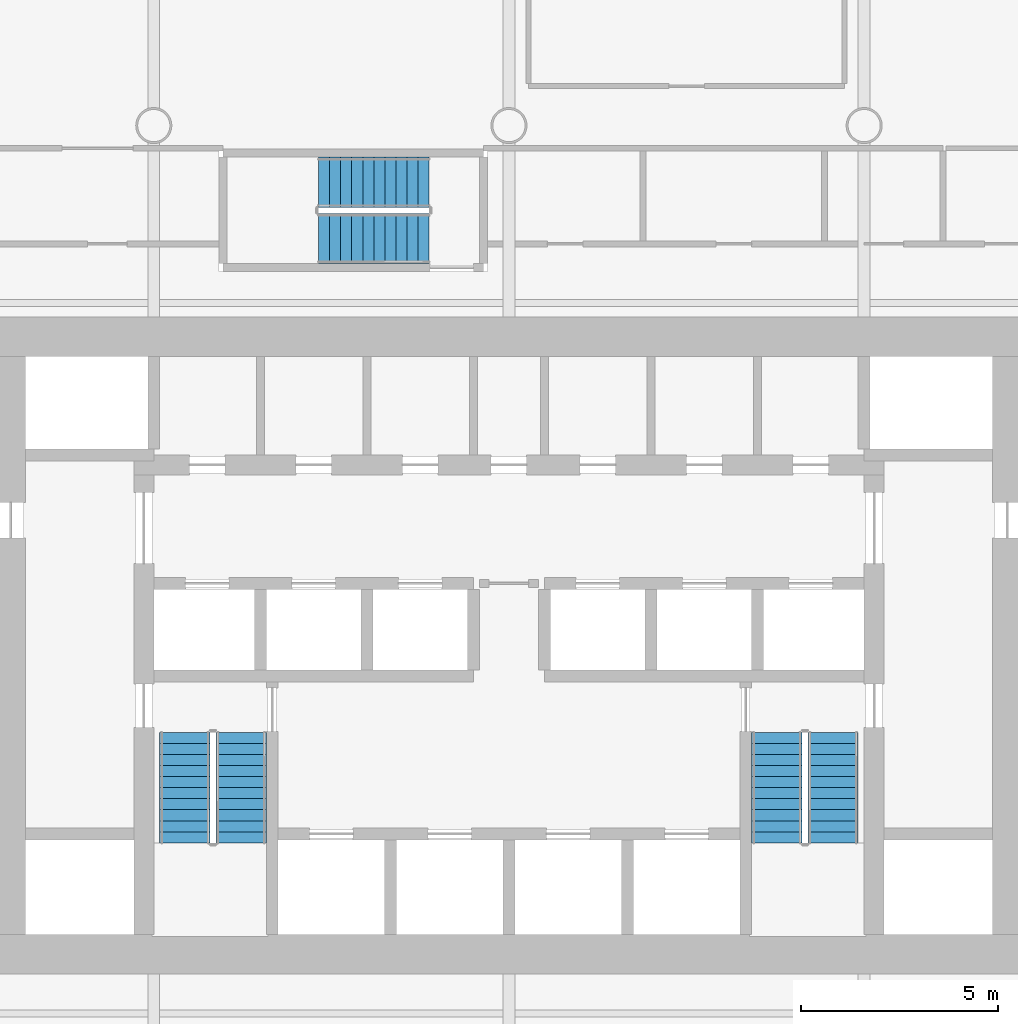
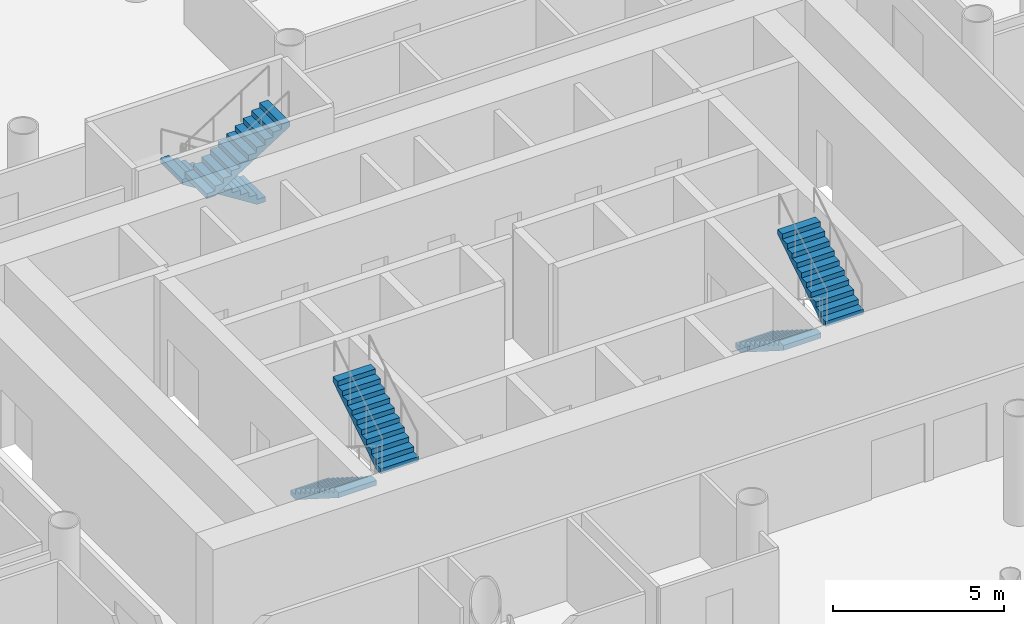
# One storey, part 15 of 20: 6 stair flights, 3 elements without a shape of their own.
"""IFC4 building model written with IfcOpenShell, lengths in metres."""

from ifc_helpers import new_model, si_unit, direction, frame, origin, place, context, subcontext, project, spatial, polyline, outline, extrude, material, type_object, element, aggregate, save


model = new_model("IFC4")

# Units and contexts
model_context = context("Model", 3, precision=1e-05, world=origin(), true_north=direction((0.0, 1.0)))
body_context = subcontext(model_context, "Body", "Model", "MODEL_VIEW")
ifc_project = project(units=[si_unit("LENGTHUNIT", "METRE"), si_unit("AREAUNIT", "SQUARE_METRE"), si_unit("VOLUMEUNIT", "CUBIC_METRE"), si_unit("PLANEANGLEUNIT", "RADIAN"), si_unit("MASSUNIT", "GRAM", prefix="KILO")], contexts=[model_context])

# Site, building, storey
site_placement = place(None, origin())
site = spatial("IfcSite", under=ifc_project, at=site_placement, CompositionType="ELEMENT")
building_placement = place(site_placement, origin())
building = spatial("IfcBuilding", under=site, at=building_placement, Name="Tskaro Facet Tower", CompositionType="ELEMENT")
storey_placement = place(building_placement, frame((0.0, 0.0, 53.699951171875)))
storey = spatial("IfcBuildingStorey", under=building, at=storey_placement, Name="L12", CompositionType="ELEMENT", Elevation=53.699951171875)

# Stair, stair flights
ifc_material = material(Name="Concrete C40/50", Category="concrete")
stair_type = type_object("IfcStairType", Name="ST-TWR", PredefinedType="HALF_TURN_STAIR", material=ifc_material)
stair_1_placement = place(storey_placement, origin())
stair_1 = element("IfcStair", 1, at=stair_1_placement, inside=storey, type_object=stair_type, Name="L12 Exit stair 1", PredefinedType="HALF_TURN_STAIR")
stair_flight_type = type_object("IfcStairFlightType", Name="SFL-RC", PredefinedType="STRAIGHT", material=ifc_material)
stair_flight_1_placement = place(storey_placement, frame((-8.21240234375, -6.375, 0.0), z_axis=(0.0, 0.0, 1.0), x_axis=(0.0, -1.0, 0.0)))
stair_flight_1 = element("IfcStairFlight", 2, at=stair_flight_1_placement, type_object=stair_flight_type, Name="ST-1 flight 1", NumberOfRisers=11, NumberOfTreads=10, PredefinedType="STRAIGHT", RiserHeight=0.177272727, TreadLength=0.28, context=body_context, shape_type="SweptSolid", body=[
    extrude(outline(polyline([(0.0, 0.0), (0.0, 0.17724609375), (0.280029296875, 0.17724609375), (0.280029296875, 0.3544921875), (0.56005859375, 0.3544921875), (0.56005859375, 0.53173828125), (0.840087890625, 0.53173828125), (0.840087890625, 0.708984375), (1.1201171875, 0.708984375), (1.1201171875, 0.886474609375), (1.39990234375, 0.886474609375), (1.39990234375, 1.063720703125), (1.679931640625, 1.063720703125), (1.679931640625, 1.240966796875), (1.9599609375, 1.240966796875), (1.9599609375, 1.418212890625), (2.239990234375, 1.418212890625), (2.239990234375, 1.595458984375), (2.52001953125, 1.595458984375), (2.52001953125, 1.772705078125), (2.800048828125, 1.772705078125), (2.800048828125, 1.949951171875), (2.800048828125, 1.59521484375), (0.2802734375, 0.0), (0.0, 0.0)])), frame((0.0, 0.637451171875, 0.0), z_axis=(0.0, -1.0, 0.0), x_axis=(1.0, 0.0, 0.0)), (0.0, 0.0, 1.0), 1.27490234375),
])
stair_flight_2_placement = place(storey_placement, frame((-6.78759765625, -9.175048828125, 1.949951171875), z_axis=(0.0, 0.0, 1.0), x_axis=(0.0, 1.0, 0.0)))
stair_flight_2 = element("IfcStairFlight", 3, at=stair_flight_2_placement, type_object=stair_flight_type, Name="ST-1 flight 2", NumberOfRisers=11, NumberOfTreads=10, PredefinedType="STRAIGHT", RiserHeight=0.177272727, TreadLength=0.28, context=body_context, shape_type="SweptSolid", body=[
    extrude(outline(polyline([(0.0, 0.0), (0.0, 0.17724609375), (0.280029296875, 0.17724609375), (0.280029296875, 0.3544921875), (0.56005859375, 0.3544921875), (0.56005859375, 0.53173828125), (0.840087890625, 0.53173828125), (0.840087890625, 0.708984375), (1.1201171875, 0.708984375), (1.1201171875, 0.886474609375), (1.39990234375, 0.886474609375), (1.39990234375, 1.063720703125), (1.679931640625, 1.063720703125), (1.679931640625, 1.240966796875), (1.9599609375, 1.240966796875), (1.9599609375, 1.418212890625), (2.239990234375, 1.418212890625), (2.239990234375, 1.595458984375), (2.52001953125, 1.595458984375), (2.52001953125, 1.772705078125), (2.800048828125, 1.772705078125), (2.800048828125, 1.949951171875), (2.800048828125, 1.59521484375), (0.2802734375, 0.0), (0.0, 0.0)])), frame((0.0, 0.637451171875, 0.0), z_axis=(0.0, -1.0, 0.0), x_axis=(1.0, 0.0, 0.0)), (0.0, 0.0, 1.0), 1.27490234375),
])
aggregate(stair_1, [stair_flight_1, stair_flight_2])

stair_2_placement = place(storey_placement, origin())
stair_2 = element("IfcStair", 4, at=stair_2_placement, inside=storey, type_object=stair_type, Name="L12 Exit stair 2", PredefinedType="HALF_TURN_STAIR")
stair_flight_3_placement = place(storey_placement, frame((6.78759765625, -6.375, 0.0), z_axis=(0.0, 0.0, 1.0), x_axis=(0.0, -1.0, 0.0)))
stair_flight_3 = element("IfcStairFlight", 5, at=stair_flight_3_placement, type_object=stair_flight_type, Name="ST-2 flight 1", NumberOfRisers=11, NumberOfTreads=10, PredefinedType="STRAIGHT", RiserHeight=0.177272727, TreadLength=0.28, context=body_context, shape_type="SweptSolid", body=[
    extrude(outline(polyline([(0.0, 0.0), (0.0, 0.17724609375), (0.280029296875, 0.17724609375), (0.280029296875, 0.3544921875), (0.56005859375, 0.3544921875), (0.56005859375, 0.53173828125), (0.840087890625, 0.53173828125), (0.840087890625, 0.708984375), (1.1201171875, 0.708984375), (1.1201171875, 0.886474609375), (1.39990234375, 0.886474609375), (1.39990234375, 1.063720703125), (1.679931640625, 1.063720703125), (1.679931640625, 1.240966796875), (1.9599609375, 1.240966796875), (1.9599609375, 1.418212890625), (2.239990234375, 1.418212890625), (2.239990234375, 1.595458984375), (2.52001953125, 1.595458984375), (2.52001953125, 1.772705078125), (2.800048828125, 1.772705078125), (2.800048828125, 1.949951171875), (2.800048828125, 1.59521484375), (0.2802734375, 0.0), (0.0, 0.0)])), frame((0.0, 0.637451171875, 0.0), z_axis=(0.0, -1.0, 0.0), x_axis=(1.0, 0.0, 0.0)), (0.0, 0.0, 1.0), 1.27490234375),
])
stair_flight_4_placement = place(storey_placement, frame((8.21240234375, -9.175048828125, 1.949951171875), z_axis=(0.0, 0.0, 1.0), x_axis=(0.0, 1.0, 0.0)))
stair_flight_4 = element("IfcStairFlight", 6, at=stair_flight_4_placement, type_object=stair_flight_type, Name="ST-2 flight 2", NumberOfRisers=11, NumberOfTreads=10, PredefinedType="STRAIGHT", RiserHeight=0.177272727, TreadLength=0.28, context=body_context, shape_type="SweptSolid", body=[
    extrude(outline(polyline([(0.0, 0.0), (0.0, 0.17724609375), (0.280029296875, 0.17724609375), (0.280029296875, 0.3544921875), (0.56005859375, 0.3544921875), (0.56005859375, 0.53173828125), (0.840087890625, 0.53173828125), (0.840087890625, 0.708984375), (1.1201171875, 0.708984375), (1.1201171875, 0.886474609375), (1.39990234375, 0.886474609375), (1.39990234375, 1.063720703125), (1.679931640625, 1.063720703125), (1.679931640625, 1.240966796875), (1.9599609375, 1.240966796875), (1.9599609375, 1.418212890625), (2.239990234375, 1.418212890625), (2.239990234375, 1.595458984375), (2.52001953125, 1.595458984375), (2.52001953125, 1.772705078125), (2.800048828125, 1.772705078125), (2.800048828125, 1.949951171875), (2.800048828125, 1.59521484375), (0.2802734375, 0.0), (0.0, 0.0)])), frame((0.0, 0.637451171875, 0.0), z_axis=(0.0, -1.0, 0.0), x_axis=(1.0, 0.0, 0.0)), (0.0, 0.0, 1.0), 1.27490234375),
])
aggregate(stair_2, [stair_flight_3, stair_flight_4])

stair_3_placement = place(storey_placement, origin())
stair_3 = element("IfcStair", 7, at=stair_3_placement, inside=storey, type_object=stair_type, Name="L12 Exit stair 3", PredefinedType="HALF_TURN_STAIR")
stair_flight_5_placement = place(storey_placement, frame((-2.02490234375, 7.5625, 0.0), z_axis=(0.0, 0.0, 1.0), x_axis=(-1.0, 0.0, 0.0)))
stair_flight_5 = element("IfcStairFlight", 8, at=stair_flight_5_placement, type_object=stair_flight_type, Name="ST-3 flight 1", NumberOfRisers=11, NumberOfTreads=10, PredefinedType="STRAIGHT", RiserHeight=0.177272727, TreadLength=0.28, context=body_context, shape_type="SweptSolid", body=[
    extrude(outline(polyline([(0.0, 0.0), (0.0, 0.17724609375), (0.280029296875, 0.17724609375), (0.280029296875, 0.3544921875), (0.56005859375, 0.3544921875), (0.56005859375, 0.53173828125), (0.840087890625, 0.53173828125), (0.840087890625, 0.708984375), (1.1201171875, 0.708984375), (1.1201171875, 0.886474609375), (1.39990234375, 0.886474609375), (1.39990234375, 1.063720703125), (1.679931640625, 1.063720703125), (1.679931640625, 1.240966796875), (1.9599609375, 1.240966796875), (1.9599609375, 1.418212890625), (2.239990234375, 1.418212890625), (2.239990234375, 1.595458984375), (2.52001953125, 1.595458984375), (2.52001953125, 1.772705078125), (2.800048828125, 1.772705078125), (2.800048828125, 1.949951171875), (2.800048828125, 1.59521484375), (0.2802734375, 0.0), (0.0, 0.0)])), frame((0.0, 0.637451171875, 0.0), z_axis=(0.0, -1.0, 0.0), x_axis=(1.0, 0.0, 0.0)), (0.0, 0.0, 1.0), 1.27490234375),
])
stair_flight_6_placement = place(storey_placement, frame((-4.824951171875, 6.137451171875, 1.949951171875), z_axis=(0.0, 0.0, 1.0), x_axis=(1.0, 0.0, 0.0)))
stair_flight_6 = element("IfcStairFlight", 9, at=stair_flight_6_placement, type_object=stair_flight_type, Name="ST-3 flight 2", NumberOfRisers=11, NumberOfTreads=10, PredefinedType="STRAIGHT", RiserHeight=0.177272727, TreadLength=0.28, context=body_context, shape_type="SweptSolid", body=[
    extrude(outline(polyline([(0.0, 0.0), (0.0, 0.17724609375), (0.280029296875, 0.17724609375), (0.280029296875, 0.3544921875), (0.56005859375, 0.3544921875), (0.56005859375, 0.53173828125), (0.840087890625, 0.53173828125), (0.840087890625, 0.708984375), (1.1201171875, 0.708984375), (1.1201171875, 0.886474609375), (1.39990234375, 0.886474609375), (1.39990234375, 1.063720703125), (1.679931640625, 1.063720703125), (1.679931640625, 1.240966796875), (1.9599609375, 1.240966796875), (1.9599609375, 1.418212890625), (2.239990234375, 1.418212890625), (2.239990234375, 1.595458984375), (2.52001953125, 1.595458984375), (2.52001953125, 1.772705078125), (2.800048828125, 1.772705078125), (2.800048828125, 1.949951171875), (2.800048828125, 1.59521484375), (0.2802734375, 0.0), (0.0, 0.0)])), frame((0.0, 0.637451171875, 0.0), z_axis=(0.0, -1.0, 0.0), x_axis=(1.0, 0.0, 0.0)), (0.0, 0.0, 1.0), 1.27490234375),
])
aggregate(stair_3, [stair_flight_5, stair_flight_6])

save(model, "model.ifc")
